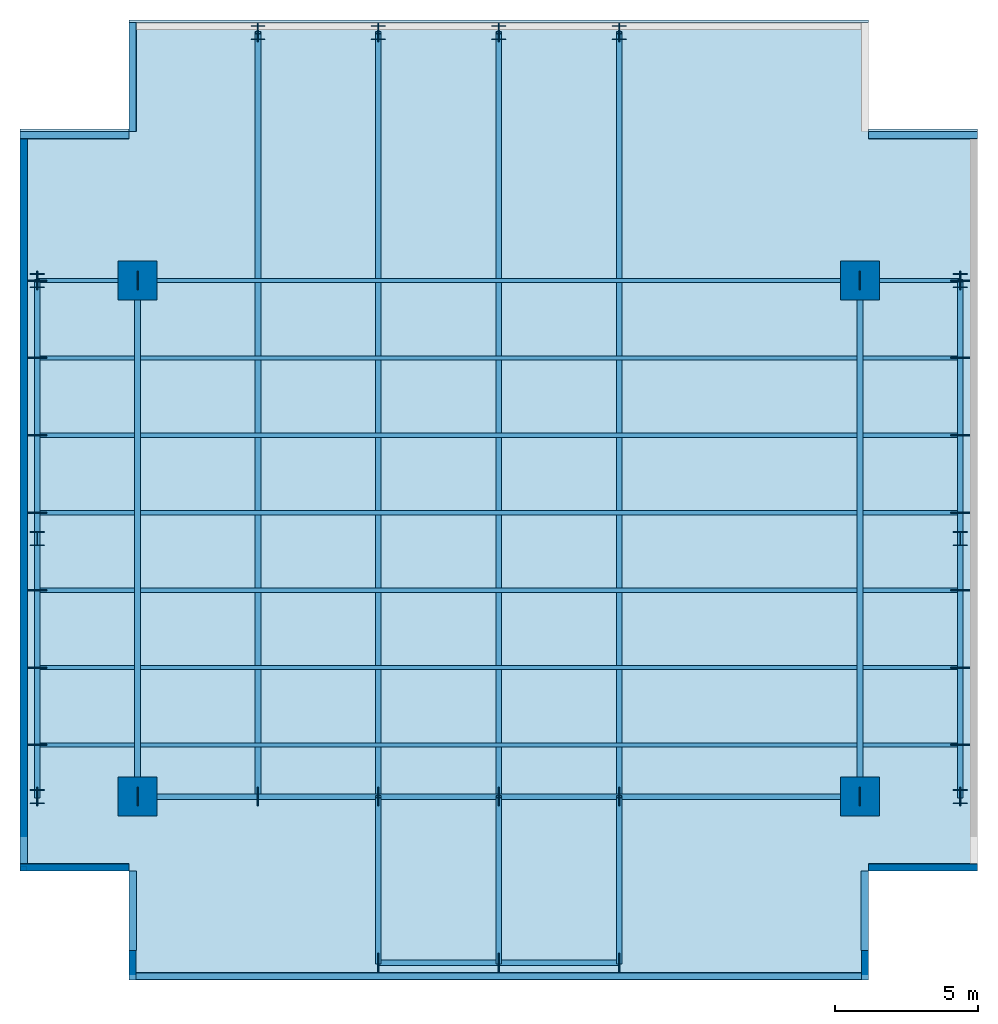
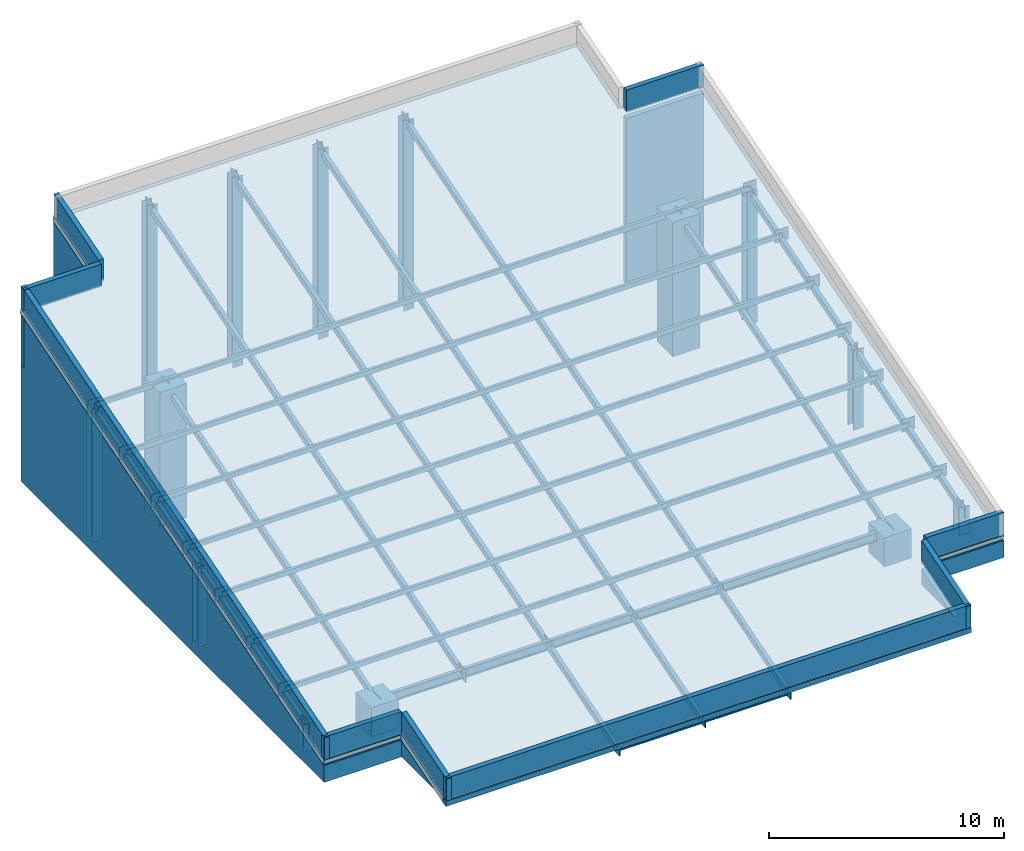
# One storey, part 1 of 3: 33 plates, 18 members, 18 walls, 14 columns, 2 beams, 1 slab.
"""IFC4 building model written with IfcOpenShell, lengths in metres."""

from ifc_helpers import new_model, si_unit, direction, frame, origin, origin_2d, place, context, subcontext, project, spatial, polyline, rectangle, hollow_rectangle, i_section, outline, extrude, material, layer, layer_set, material_profile, profile_set, type_object, element, save


model = new_model("IFC4")

# Units and contexts
model_context = context("Model", 3, precision=1e-05, world=origin(), true_north=direction((0.0, 1.0)))
body_context = subcontext(model_context, "Body", "Model", "MODEL_VIEW")
ifc_project = project(units=[si_unit("LENGTHUNIT", "METRE"), si_unit("AREAUNIT", "SQUARE_METRE"), si_unit("VOLUMEUNIT", "CUBIC_METRE"), si_unit("PLANEANGLEUNIT", "RADIAN"), si_unit("MASSUNIT", "GRAM", prefix="KILO")], contexts=[model_context])

# Site, building, storey
site_placement = place(None, origin())
site = spatial("IfcSite", under=ifc_project, at=site_placement, CompositionType="ELEMENT")
building_placement = place(site_placement, origin())
building = spatial("IfcBuilding", under=site, at=building_placement, Name="Maruvema Waterfront Hotel and Observation Tower", CompositionType="ELEMENT")
storey_placement = place(building_placement, frame((0.0, 0.0, 376.25)))
storey = spatial("IfcBuildingStorey", under=building, at=storey_placement, Name="Roof", CompositionType="ELEMENT", Elevation=376.25)

# Columns
ifc_material_1 = material(Name="Concrete C70/85", Category="concrete")
ifc_material_profile_1 = material_profile(ifc_material_1, rectangle(XDim=1.35009765625, YDim=1.35009765625, at=origin_2d()), Name="MC1350x1350")
ifc_profile_set_1 = profile_set([ifc_material_profile_1], Name="Concrete C70/85")
column_type_1 = type_object("IfcColumnType", Name="Continuous Mega-Column MC1350x1350", PredefinedType="COLUMN", material=ifc_profile_set_1)
for number, where, z_axis, x_axis, name in (
    (1, (25.199951171875, 27.0, 0.0), (0.0, 0.0, 1.0), (1.0, 0.0, 0.0), "Roof Continuous Mega-Column MC-01"),
    (2, (50.39990234375, 27.0, 0.0), (0.0, 0.0, 1.0), (1.0, 0.0, 0.0), "Roof Continuous Mega-Column MC-02"),
):
    element("IfcColumn", number, at=place(storey_placement, frame(where, z_axis=z_axis, x_axis=x_axis)), inside=storey, type_object=column_type_1, Name=name, PredefinedType="COLUMN", context=body_context, shape_type="SweptSolid", body=[
        extrude(rectangle(XDim=1.35009765625, YDim=1.35009765625, at=origin_2d()), origin(), (0.0, 0.0, 1.0), 1.511474609375),
    ])
for number, where, z_axis, x_axis, name in (
    (3, (25.199951171875, 45.0, 0.0), (0.0, 0.0, 1.0), (1.0, 0.0, 0.0), "Roof Continuous Mega-Column MC-03"),
    (4, (50.39990234375, 45.0, 0.0), (0.0, 0.0, 1.0), (1.0, 0.0, 0.0), "Roof Continuous Mega-Column MC-04"),
):
    element("IfcColumn", number, at=place(storey_placement, frame(where, z_axis=z_axis, x_axis=x_axis)), inside=storey, type_object=column_type_1, Name=name, PredefinedType="COLUMN", context=body_context, shape_type="SweptSolid", body=[
        extrude(rectangle(XDim=1.35009765625, YDim=1.35009765625, at=origin_2d()), origin(), (0.0, 0.0, 1.0), 6.9814453125),
    ])
ifc_material_2 = material(Name="Steel ABNT NBR 7007 AR 415 (ASTM A572 Grade 50)", Category="steel")
ifc_material_profile_2 = material_profile(ifc_material_2, i_section(OverallWidth=0.5, OverallDepth=0.5, WebThickness=0.02197265625, FlangeThickness=0.031982421875, at=origin_2d()), Name="CVS500x223")
ifc_profile_set_2 = profile_set([ifc_material_profile_2], Name="Steel ABNT NBR 7007 AR 415 (ASTM A572 Grade 50)")
column_type_2 = type_object("IfcColumnType", Name="Structural Steel Column CVS500x223", PredefinedType="COLUMN", material=ifc_profile_set_2)
for number, where, z_axis, x_axis, name in (
    (5, (21.699951171875, 27.0, 0.0), (0.0, 0.0, 1.0), (1.0, 0.0, 0.0), "Roof Column C-CRW27"),
    (6, (53.89990234375, 27.0, 0.0), (0.0, 0.0, 1.0), (1.0, 0.0, 0.0), "Roof Column C-CRE27"),
):
    element("IfcColumn", number, at=place(storey_placement, frame(where, z_axis=z_axis, x_axis=x_axis)), inside=storey, type_object=column_type_2, Name=name, PredefinedType="COLUMN", context=body_context, shape_type="SweptSolid", body=[
        extrude(i_section(OverallWidth=0.5, OverallDepth=0.5, WebThickness=0.02197265625, FlangeThickness=0.031982421875, at=origin_2d()), origin(), (0.0, 0.0, 1.0), 1.411376953125),
    ])
for number, where, z_axis, x_axis, name in (
    (7, (21.699951171875, 36.0, 0.0), (0.0, 0.0, 1.0), (1.0, 0.0, 0.0), "Roof Column C-CRW36"),
    (8, (53.89990234375, 36.0, 0.0), (0.0, 0.0, 1.0), (1.0, 0.0, 0.0), "Roof Column C-CRE36"),
):
    element("IfcColumn", number, at=place(storey_placement, frame(where, z_axis=z_axis, x_axis=x_axis)), inside=storey, type_object=column_type_2, Name=name, PredefinedType="COLUMN", context=body_context, shape_type="SweptSolid", body=[
        extrude(i_section(OverallWidth=0.5, OverallDepth=0.5, WebThickness=0.02197265625, FlangeThickness=0.031982421875, at=origin_2d()), origin(), (0.0, 0.0, 1.0), 4.146484375),
    ])
for number, where, z_axis, x_axis, name in (
    (9, (21.699951171875, 45.0, 0.0), (0.0, 0.0, 1.0), (1.0, 0.0, 0.0), "Roof Column C-CRW45"),
    (10, (53.89990234375, 45.0, 0.0), (0.0, 0.0, 1.0), (1.0, 0.0, 0.0), "Roof Column C-CRE45"),
):
    element("IfcColumn", number, at=place(storey_placement, frame(where, z_axis=z_axis, x_axis=x_axis)), inside=storey, type_object=column_type_2, Name=name, PredefinedType="COLUMN", context=body_context, shape_type="SweptSolid", body=[
        extrude(i_section(OverallWidth=0.5, OverallDepth=0.5, WebThickness=0.02197265625, FlangeThickness=0.031982421875, at=origin_2d()), origin(), (0.0, 0.0, 1.0), 6.88134765625),
    ])
for number, where, z_axis, x_axis, name in (
    (11, (29.39990234375, 53.64990234375, -0.35009765625), (0.0, 0.0, 1.0), (1.0, 0.0, 0.0), "Roof Column C-CRN4B"),
    (12, (33.60009765625, 53.64990234375, -0.35009765625), (0.0, 0.0, 1.0), (1.0, 0.0, 0.0), "Roof Column C-CRN5"),
    (13, (37.800048828125, 53.64990234375, -0.35009765625), (0.0, 0.0, 1.0), (1.0, 0.0, 0.0), "Roof Column C-CRN5B"),
    (14, (42.0, 53.64990234375, -0.35009765625), (0.0, 0.0, 1.0), (1.0, 0.0, 0.0), "Roof Column C-CRN6"),
):
    element("IfcColumn", number, at=place(storey_placement, frame(where, z_axis=z_axis, x_axis=x_axis)), inside=storey, type_object=column_type_2, Name=name, PredefinedType="COLUMN", context=body_context, shape_type="SweptSolid", body=[
        extrude(i_section(OverallWidth=0.5, OverallDepth=0.5, WebThickness=0.02197265625, FlangeThickness=0.031982421875, at=origin_2d()), origin(), (0.0, 0.0, 1.0), 9.860107421875),
    ])

# Beams
ifc_material_3 = material(Name="Steel ASTM A572 Grade 50", Category="steel")
ifc_material_profile_3 = material_profile(ifc_material_3, i_section(OverallWidth=0.19189453125, OverallDepth=0.462890625, WebThickness=0.010498046875, FlangeThickness=0.017578125, FilletRadius=0.014892578125, at=origin_2d()), Name="W460x89.0")
ifc_profile_set_3 = profile_set([ifc_material_profile_3], Name="Steel ASTM A572 Grade 50")
beam_type = type_object("IfcBeamType", Name="Primary Floor Girder W460x89.0", PredefinedType="BEAM", material=ifc_profile_set_3)
beam_1_placement = place(storey_placement, frame((33.60009765625, 21.199951171875, -0.55126953125), z_axis=(1.0, 0.0, 0.0), x_axis=(0.0, 1.0, 0.0)))
element("IfcBeam", 15, at=beam_1_placement, inside=storey, type_object=beam_type, Name="Roof South Eaves Header Girder", PredefinedType="BEAM", context=body_context, shape_type="SweptSolid", body=[
    extrude(i_section(OverallWidth=0.19189453125, OverallDepth=0.462890625, WebThickness=0.010498046875, FlangeThickness=0.017578125, FilletRadius=0.014892578125, at=origin_2d()), origin(), (0.0, 0.0, 1.0), 8.39990234375),
])
beam_2_placement = place(storey_placement, frame((25.199951171875, 27.0, 1.21142578125), z_axis=(1.0, 0.0, 0.0), x_axis=(0.0, 1.0, 0.0)))
element("IfcBeam", 16, at=beam_2_placement, inside=storey, type_object=beam_type, Name="Roof Mid-South Header Girder", PredefinedType="BEAM", context=body_context, shape_type="SweptSolid", body=[
    extrude(i_section(OverallWidth=0.19189453125, OverallDepth=0.462890625, WebThickness=0.010498046875, FlangeThickness=0.017578125, FilletRadius=0.014892578125, at=origin_2d()), origin(), (0.0, 0.0, 1.0), 25.199951171875),
])

# Members
ifc_material_4 = material(Name="Steel ABNT NBR 7007 AR 350 (ASTM A572 Grade 50)", Category="steel")
ifc_material_profile_4 = material_profile(ifc_material_4, hollow_rectangle(XDim=0.14990234375, YDim=0.25, WallThickness=0.012451171875, at=origin_2d()), Name="RHS250x150x12.5")
ifc_profile_set_4 = profile_set([ifc_material_profile_4], Name="Steel ABNT NBR 7007 AR 350 (ASTM A572 Grade 50)")
member_type_1 = type_object("IfcMemberType", Name="Sloped Crown Roof Purlin RHS250x150x12.5", PredefinedType="PURLIN", material=ifc_profile_set_4)
for number, where, z_axis, x_axis, name in (
    (17, (21.699951171875, 28.800048828125, 2.013427734375), (1.0, 0.0, 0.0), (0.0, 1.0, 0.0), "Roof Sloped Crown Purlin 01"),
    (18, (21.699951171875, 31.5, 2.833984375), (1.0, 0.0, 0.0), (0.0, 1.0, 0.0), "Roof Sloped Crown Purlin 02"),
    (19, (21.699951171875, 34.199951171875, 3.654296875), (1.0, 0.0, 0.0), (0.0, 1.0, 0.0), "Roof Sloped Crown Purlin 03"),
    (20, (21.699951171875, 36.89990234375, 4.474853515625), (1.0, 0.0, 0.0), (0.0, 1.0, 0.0), "Roof Sloped Crown Purlin 04"),
    (21, (21.699951171875, 39.60009765625, 5.29541015625), (1.0, 0.0, 0.0), (0.0, 1.0, 0.0), "Roof Sloped Crown Purlin 05"),
    (22, (21.699951171875, 42.300048828125, 6.115966796875), (1.0, 0.0, 0.0), (0.0, 1.0, 0.0), "Roof Sloped Crown Purlin 06"),
    (23, (21.699951171875, 45.0, 6.936279296875), (1.0, 0.0, 0.0), (0.0, 1.0, 0.0), "Roof Sloped Crown Purlin 07"),
):
    element("IfcMember", number, at=place(storey_placement, frame(where, z_axis=z_axis, x_axis=x_axis)), inside=storey, type_object=member_type_1, Name=name, PredefinedType="PURLIN", context=body_context, shape_type="SweptSolid", body=[
        extrude(hollow_rectangle(XDim=0.14990234375, YDim=0.25, WallThickness=0.012451171875, at=origin_2d()), origin(), (0.0, 0.0, 1.0), 32.199951171875),
    ])
ifc_material_5 = material(Name="Steel ABNT NBR 7007 AR 350 (ASTM A572 Grade 50)", Category="steel")
ifc_material_profile_5 = material_profile(ifc_material_5, hollow_rectangle(XDim=0.199951171875, YDim=0.300048828125, WallThickness=0.01611328125, at=origin_2d()), Name="RHS300x200x16.0")
ifc_profile_set_5 = profile_set([ifc_material_profile_5], Name="Steel ABNT NBR 7007 AR 350 (ASTM A572 Grade 50)")
member_type_2 = type_object("IfcMemberType", Name="Sloped Crown Roof Rafter RHS300x200x16.0", PredefinedType="RAFTER", material=ifc_profile_set_5)
for number, where, z_axis, x_axis, name in (
    (24, (21.699951171875, 27.0, 1.21142578125), (0.0, 0.956796541708, 0.290758280666), (-1.0, 0.0, 0.0), "Roof Sloped Crown Rafter RFT-00"),
    (25, (25.199951171875, 27.0, 1.21142578125), (0.0, 0.956796541708, 0.290758280666), (-1.0, 0.0, 0.0), "Roof Sloped Crown Rafter RFT-01"),
):
    element("IfcMember", number, at=place(storey_placement, frame(where, z_axis=z_axis, x_axis=x_axis)), inside=storey, type_object=member_type_2, Name=name, PredefinedType="RAFTER", context=body_context, shape_type="SweptSolid", body=[
        extrude(hollow_rectangle(XDim=0.199951171875, YDim=0.300048828125, WallThickness=0.01611328125, at=origin_2d()), origin(), (0.0, 0.0, 1.0), 18.812744140625),
    ])
member_1_placement = place(storey_placement, frame((29.39990234375, 27.0, 1.21142578125), z_axis=(0.0, 0.956795872756, 0.290760481972), x_axis=(-1.0, 0.0, 0.0)))
element("IfcMember", 26, at=member_1_placement, inside=storey, type_object=member_type_2, Name="Roof Sloped Crown Rafter RFT-02", PredefinedType="RAFTER", context=body_context, shape_type="SweptSolid", body=[
    extrude(hollow_rectangle(XDim=0.199951171875, YDim=0.300048828125, WallThickness=0.01611328125, at=origin_2d()), origin(), (0.0, 0.0, 1.0), 27.853271484375),
])
member_2_placement = place(storey_placement, frame((33.60009765625, 21.199951171875, -0.55126953125), z_axis=(0.0, 0.956790375501, 0.290778570994), x_axis=(-1.0, 0.0, 0.0)))
element("IfcMember", 27, at=member_2_placement, inside=storey, type_object=member_type_2, Name="Roof Sloped Crown Rafter RFT-03S", PredefinedType="RAFTER", context=body_context, shape_type="SweptSolid", body=[
    extrude(hollow_rectangle(XDim=0.199951171875, YDim=0.300048828125, WallThickness=0.01611328125, at=origin_2d()), origin(), (0.0, 0.0, 1.0), 6.06201171875),
])
member_3_placement = place(storey_placement, frame((33.60009765625, 27.0, 1.21142578125), z_axis=(0.0, 0.956795872756, 0.290760481972), x_axis=(-1.0, 0.0, 0.0)))
element("IfcMember", 28, at=member_3_placement, inside=storey, type_object=member_type_2, Name="Roof Sloped Crown Rafter RFT-03", PredefinedType="RAFTER", context=body_context, shape_type="SweptSolid", body=[
    extrude(hollow_rectangle(XDim=0.199951171875, YDim=0.300048828125, WallThickness=0.01611328125, at=origin_2d()), origin(), (0.0, 0.0, 1.0), 27.853271484375),
])
member_4_placement = place(storey_placement, frame((37.800048828125, 21.199951171875, -0.55126953125), z_axis=(0.0, 0.956790375501, 0.290778570994), x_axis=(-1.0, 0.0, 0.0)))
element("IfcMember", 29, at=member_4_placement, inside=storey, type_object=member_type_2, Name="Roof Sloped Crown Rafter RFT-04S", PredefinedType="RAFTER", context=body_context, shape_type="SweptSolid", body=[
    extrude(hollow_rectangle(XDim=0.199951171875, YDim=0.300048828125, WallThickness=0.01611328125, at=origin_2d()), origin(), (0.0, 0.0, 1.0), 6.06201171875),
])
member_5_placement = place(storey_placement, frame((37.800048828125, 27.0, 1.21142578125), z_axis=(0.0, 0.956795872756, 0.290760481972), x_axis=(-1.0, 0.0, 0.0)))
element("IfcMember", 30, at=member_5_placement, inside=storey, type_object=member_type_2, Name="Roof Sloped Crown Rafter RFT-04", PredefinedType="RAFTER", context=body_context, shape_type="SweptSolid", body=[
    extrude(hollow_rectangle(XDim=0.199951171875, YDim=0.300048828125, WallThickness=0.01611328125, at=origin_2d()), origin(), (0.0, 0.0, 1.0), 27.853271484375),
])
member_6_placement = place(storey_placement, frame((42.0, 21.199951171875, -0.55126953125), z_axis=(0.0, 0.956790375501, 0.290778570994), x_axis=(-1.0, 0.0, 0.0)))
element("IfcMember", 31, at=member_6_placement, inside=storey, type_object=member_type_2, Name="Roof Sloped Crown Rafter RFT-05S", PredefinedType="RAFTER", context=body_context, shape_type="SweptSolid", body=[
    extrude(hollow_rectangle(XDim=0.199951171875, YDim=0.300048828125, WallThickness=0.01611328125, at=origin_2d()), origin(), (0.0, 0.0, 1.0), 6.06201171875),
])
member_7_placement = place(storey_placement, frame((42.0, 27.0, 1.21142578125), z_axis=(0.0, 0.956795872756, 0.290760481972), x_axis=(-1.0, 0.0, 0.0)))
element("IfcMember", 32, at=member_7_placement, inside=storey, type_object=member_type_2, Name="Roof Sloped Crown Rafter RFT-05", PredefinedType="RAFTER", context=body_context, shape_type="SweptSolid", body=[
    extrude(hollow_rectangle(XDim=0.199951171875, YDim=0.300048828125, WallThickness=0.01611328125, at=origin_2d()), origin(), (0.0, 0.0, 1.0), 27.853271484375),
])
for number, where, z_axis, x_axis, name in (
    (33, (50.39990234375, 27.0, 1.21142578125), (0.0, 0.956796541708, 0.290758280666), (-1.0, 0.0, 0.0), "Roof Sloped Crown Rafter RFT-06"),
    (34, (53.89990234375, 27.0, 1.21142578125), (0.0, 0.956796541708, 0.290758280666), (-1.0, 0.0, 0.0), "Roof Sloped Crown Rafter RFT-07"),
):
    element("IfcMember", number, at=place(storey_placement, frame(where, z_axis=z_axis, x_axis=x_axis)), inside=storey, type_object=member_type_2, Name=name, PredefinedType="RAFTER", context=body_context, shape_type="SweptSolid", body=[
        extrude(hollow_rectangle(XDim=0.199951171875, YDim=0.300048828125, WallThickness=0.01611328125, at=origin_2d()), origin(), (0.0, 0.0, 1.0), 18.812744140625),
    ])

# Plates
ifc_material_6 = material(Name="Steel ABNT NBR 7007 AR 415 (ASTM A572 Grade 50)", Category="steel")
ifc_layer_1 = layer(ifc_material_6, 0.034912109375, Name="Hollow Section Sealed End Cap Plate 35 mm")
ifc_layer_set_1 = layer_set([ifc_layer_1], Name="Steel ABNT NBR 7007 AR 415 (ASTM A572 Grade 50)")
plate_type = type_object("IfcPlateType", Name="Hollow Section Sealed End Cap Plate 35 mm", PredefinedType="USERDEFINED", material=ifc_layer_set_1)
for number, where, z_axis, x_axis, name in (
    (35, (21.699951171875, 27.0, 0.886474609375), (0.0, 0.0, 1.0), (0.0, 1.0, 0.0), "Roof Sloped Crown Rafter RFT-00 Node Plate 1"),
    (36, (21.699951171875, 45.0, 6.3564453125), (0.0, 0.0, 1.0), (0.0, 1.0, 0.0), "Roof Sloped Crown Rafter RFT-00 Node Plate 2"),
    (37, (25.199951171875, 27.0, 0.886474609375), (0.0, 0.0, 1.0), (0.0, 1.0, 0.0), "Roof Sloped Crown Rafter RFT-01 Node Plate 1"),
    (38, (25.199951171875, 45.0, 6.3564453125), (0.0, 0.0, 1.0), (0.0, 1.0, 0.0), "Roof Sloped Crown Rafter RFT-01 Node Plate 2"),
    (39, (29.39990234375, 27.0, 0.886474609375), (0.0, 0.0, 1.0), (0.0, 1.0, 0.0), "Roof Sloped Crown Rafter RFT-02 Node Plate 1"),
    (40, (29.39990234375, 53.64990234375, 8.985107421875), (0.0, 0.0, 1.0), (0.0, 1.0, 0.0), "Roof Sloped Crown Rafter RFT-02 Node Plate 2"),
    (41, (33.60009765625, 21.199951171875, -0.876220703125), (0.0, 0.0, 1.0), (0.0, 1.0, 0.0), "Roof Sloped Crown Rafter RFT-03S Node Plate 1"),
    (42, (33.60009765625, 27.0, 0.886474609375), (0.0, 0.0, 1.0), (0.0, 1.0, 0.0), "Roof Sloped Crown Rafter RFT-03S Node Plate 2"),
    (43, (33.60009765625, 53.64990234375, 8.985107421875), (0.0, 0.0, 1.0), (0.0, 1.0, 0.0), "Roof Sloped Crown Rafter RFT-03 Node Plate 2"),
    (44, (37.800048828125, 21.199951171875, -0.876220703125), (0.0, 0.0, 1.0), (0.0, 1.0, 0.0), "Roof Sloped Crown Rafter RFT-04S Node Plate 1"),
    (45, (37.800048828125, 27.0, 0.886474609375), (0.0, 0.0, 1.0), (0.0, 1.0, 0.0), "Roof Sloped Crown Rafter RFT-04S Node Plate 2"),
    (46, (37.800048828125, 53.64990234375, 8.985107421875), (0.0, 0.0, 1.0), (0.0, 1.0, 0.0), "Roof Sloped Crown Rafter RFT-04 Node Plate 2"),
    (47, (42.0, 21.199951171875, -0.876220703125), (0.0, 0.0, 1.0), (0.0, 1.0, 0.0), "Roof Sloped Crown Rafter RFT-05S Node Plate 1"),
    (48, (42.0, 27.0, 0.886474609375), (0.0, 0.0, 1.0), (0.0, 1.0, 0.0), "Roof Sloped Crown Rafter RFT-05S Node Plate 2"),
    (49, (42.0, 53.64990234375, 8.985107421875), (0.0, 0.0, 1.0), (0.0, 1.0, 0.0), "Roof Sloped Crown Rafter RFT-05 Node Plate 2"),
    (50, (50.39990234375, 27.0, 0.886474609375), (0.0, 0.0, 1.0), (0.0, 1.0, 0.0), "Roof Sloped Crown Rafter RFT-06 Node Plate 1"),
    (51, (50.39990234375, 45.0, 6.3564453125), (0.0, 0.0, 1.0), (0.0, 1.0, 0.0), "Roof Sloped Crown Rafter RFT-06 Node Plate 2"),
    (52, (53.89990234375, 27.0, 0.886474609375), (0.0, 0.0, 1.0), (0.0, 1.0, 0.0), "Roof Sloped Crown Rafter RFT-07 Node Plate 1"),
    (53, (53.89990234375, 45.0, 6.3564453125), (0.0, 0.0, 1.0), (0.0, 1.0, 0.0), "Roof Sloped Crown Rafter RFT-07 Node Plate 2"),
    (54, (21.699951171875, 28.800048828125, 1.6884765625), (0.0, 0.0, 1.0), (1.0, 0.0, 0.0), "Roof Sloped Crown Purlin 01 Node Plate 1"),
    (55, (53.89990234375, 28.800048828125, 1.6884765625), (0.0, 0.0, 1.0), (1.0, 0.0, 0.0), "Roof Sloped Crown Purlin 01 Node Plate 2"),
    (56, (21.699951171875, 31.5, 2.509033203125), (0.0, 0.0, 1.0), (1.0, 0.0, 0.0), "Roof Sloped Crown Purlin 02 Node Plate 1"),
    (57, (53.89990234375, 31.5, 2.509033203125), (0.0, 0.0, 1.0), (1.0, 0.0, 0.0), "Roof Sloped Crown Purlin 02 Node Plate 2"),
    (58, (21.699951171875, 34.199951171875, 3.329345703125), (0.0, 0.0, 1.0), (1.0, 0.0, 0.0), "Roof Sloped Crown Purlin 03 Node Plate 1"),
    (59, (53.89990234375, 34.199951171875, 3.329345703125), (0.0, 0.0, 1.0), (1.0, 0.0, 0.0), "Roof Sloped Crown Purlin 03 Node Plate 2"),
    (60, (21.699951171875, 36.89990234375, 4.14990234375), (0.0, 0.0, 1.0), (1.0, 0.0, 0.0), "Roof Sloped Crown Purlin 04 Node Plate 1"),
    (61, (53.89990234375, 36.89990234375, 4.14990234375), (0.0, 0.0, 1.0), (1.0, 0.0, 0.0), "Roof Sloped Crown Purlin 04 Node Plate 2"),
    (62, (21.699951171875, 39.60009765625, 4.970458984375), (0.0, 0.0, 1.0), (1.0, 0.0, 0.0), "Roof Sloped Crown Purlin 05 Node Plate 1"),
    (63, (53.89990234375, 39.60009765625, 4.970458984375), (0.0, 0.0, 1.0), (1.0, 0.0, 0.0), "Roof Sloped Crown Purlin 05 Node Plate 2"),
    (64, (21.699951171875, 42.300048828125, 5.791015625), (0.0, 0.0, 1.0), (1.0, 0.0, 0.0), "Roof Sloped Crown Purlin 06 Node Plate 1"),
    (65, (53.89990234375, 42.300048828125, 5.791015625), (0.0, 0.0, 1.0), (1.0, 0.0, 0.0), "Roof Sloped Crown Purlin 06 Node Plate 2"),
    (66, (21.699951171875, 45.0, 6.611328125), (0.0, 0.0, 1.0), (1.0, 0.0, 0.0), "Roof Sloped Crown Purlin 07 Node Plate 1"),
    (67, (53.89990234375, 45.0, 6.611328125), (0.0, 0.0, 1.0), (1.0, 0.0, 0.0), "Roof Sloped Crown Purlin 07 Node Plate 2"),
):
    element("IfcPlate", number, at=place(storey_placement, frame(where, z_axis=z_axis, x_axis=x_axis)), inside=storey, type_object=plate_type, Name=name, ObjectType="END_CAP_PLATE", PredefinedType="USERDEFINED", context=body_context, shape_type="SweptSolid", body=[
        extrude(rectangle(XDim=0.64990234375, YDim=0.034912109375, at=origin_2d()), origin(), (0.0, 0.0, 1.0), 0.64990234375),
    ])

# Slab
ifc_material_7 = material(Name="Concrete C50/60", Category="concrete")
ifc_layer_2 = layer(ifc_material_7, 0.300048828125, Name="Sloped Crown Roof Structural Slab 300 mm")
ifc_layer_set_2 = layer_set([ifc_layer_2], Name="Concrete C50/60")
slab_type = type_object("IfcSlabType", Name="Sloped Crown Roof Structural Slab 300 mm", PredefinedType="ROOF", material=ifc_layer_set_2)
slab_placement = place(storey_placement, frame((24.89990234375, 20.60009765625, 0.0), z_axis=(0.0, -0.290760526175, 0.956795859324), x_axis=(1.0, 0.0, 0.0)))
element("IfcSlab", 68, at=slab_placement, inside=storey, type_object=slab_type, Name="Sloped Crown Roof Slab RF-300", PredefinedType="ROOF", context=body_context, shape_type="SweptSolid", body=[
    extrude(outline(polyline([(0.0, 0.0), (25.800048828125, 0.0), (25.800048828125, 3.9714033308880428), (29.60009765625, 3.9714033308880428), (29.60009765625, 30.936442286772994), (25.800048828125, 30.936442286772994), (25.800048828125, 34.90807921040013), (0.0, 34.90807921040013), (0.0, 30.936442286772994), (-3.7998046875, 30.936442286772994), (-3.7998046875, 3.9714033308880428), (0.0, 3.9714033308880428), (0.0, 0.0)])), origin(), (0.0, 0.0, -1.0), 0.300048828125),
])

# Walls
ifc_material_8 = material(Name="Precast concrete C45/55 with honed Pernambuco granite facing", Category="masonry")
ifc_layer_3 = layer(ifc_material_8, 0.260009765625, Name="Exterior Granite Clad Spandrel and Pier Wall 260 mm")
ifc_layer_set_3 = layer_set([ifc_layer_3], Name="Precast concrete C45/55 with honed Pernambuco granite facing")
wall_type_1 = type_object("IfcWallType", Name="Exterior Granite Clad Spandrel and Pier Wall 260 mm", PredefinedType="SOLIDWALL", material=ifc_layer_set_3)
wall_1_placement = place(storey_placement, frame((24.89990234375, 20.72998046875, 0.0), z_axis=(0.0, 0.0, 1.0), x_axis=(1.0, 0.0, 0.0)))
element("IfcWall", 69, at=wall_1_placement, inside=storey, type_object=wall_type_1, Name="Sloped Crown Granite Enclosure Wall 01", PredefinedType="SOLIDWALL", context=body_context, shape_type="SweptSolid", body=[
    extrude(outline(polyline([(0.0, 0.0), (25.800048828125, 0.0), (25.800048828125, -0.27392578125), (0.0, -0.27392578125), (0.0, 0.0)])), frame((0.0, 0.1298828125, 0.0), z_axis=(0.0, -1.0, 0.0), x_axis=(1.0, 0.0, 0.0)), (0.0, 0.0, 1.0), 0.260009765625),
])
wall_2_placement = place(storey_placement, frame((50.570068359375, 20.60009765625, 0.0), z_axis=(0.0, 0.0, 1.0), x_axis=(0.0, 1.0, 0.0)))
element("IfcWall", 70, at=wall_2_placement, inside=storey, type_object=wall_type_1, Name="Sloped Crown Granite Enclosure Wall 02", PredefinedType="SOLIDWALL", context=body_context, shape_type="SweptSolid", body=[
    extrude(outline(polyline([(0.0, 0.0), (3.7998046875, 0.0), (3.800048828125, 0.84130859375), (0.0, -0.3134765625), (0.0, 0.0)])), frame((0.0, 0.1298828125, 0.0), z_axis=(0.0, -1.0, 0.0), x_axis=(1.0, 0.0, 0.0)), (0.0, 0.0, 1.0), 0.260009765625),
])
wall_3_placement = place(storey_placement, frame((50.699951171875, 24.530029296875, 0.0), z_axis=(0.0, 0.0, 1.0), x_axis=(1.0, 0.0, 0.0)))
element("IfcWall", 71, at=wall_3_placement, inside=storey, type_object=wall_type_1, Name="Sloped Crown Granite Enclosure Wall 03", PredefinedType="SOLIDWALL", context=body_context, shape_type="SweptSolid", body=[
    extrude(outline(polyline([(0.0, 0.0), (3.800048828125, 0.0), (3.800048828125, 0.880859375), (0.0, 0.880859375), (0.0, 0.0)])), frame((0.0, 0.1298828125, 0.0), z_axis=(0.0, -1.0, 0.0), x_axis=(1.0, 0.0, 0.0)), (0.0, 0.0, 1.0), 0.260009765625),
])
wall_4_placement = place(storey_placement, frame((54.5, 50.070068359375, 0.0), z_axis=(0.0, 0.0, 1.0), x_axis=(-1.0, 0.0, 0.0)))
element("IfcWall", 72, at=wall_4_placement, inside=storey, type_object=wall_type_1, Name="Sloped Crown Granite Enclosure Wall 05", PredefinedType="SOLIDWALL", context=body_context, shape_type="SweptSolid", body=[
    extrude(outline(polyline([(0.0, 0.0), (3.800048828125, 0.0), (3.800048828125, 8.64208984375), (0.0, 8.64208984375), (0.0, 0.0)])), frame((0.0, 0.1298828125, 0.0), z_axis=(0.0, -1.0, 0.0), x_axis=(1.0, 0.0, 0.0)), (0.0, 0.0, 1.0), 0.260009765625),
])
wall_5_placement = place(storey_placement, frame((25.030029296875, 54.0, 0.0), z_axis=(0.0, 0.0, 1.0), x_axis=(0.0, -1.0, 0.0)))
element("IfcWall", 73, at=wall_5_placement, inside=storey, type_object=wall_type_1, Name="Sloped Crown Granite Enclosure Wall 08", PredefinedType="SOLIDWALL", context=body_context, shape_type="SweptSolid", body=[
    extrude(outline(polyline([(0.0, 0.0), (3.800048828125, 0.0), (3.800048828125, 8.681640625), (0.0, 9.83642578125), (0.0, 0.0)])), frame((0.0, 0.1298828125, 0.0), z_axis=(0.0, -1.0, 0.0), x_axis=(1.0, 0.0, 0.0)), (0.0, 0.0, 1.0), 0.260009765625),
])
wall_6_placement = place(storey_placement, frame((24.89990234375, 50.070068359375, 0.0), z_axis=(0.0, 0.0, 1.0), x_axis=(-1.0, 0.0, 0.0)))
element("IfcWall", 74, at=wall_6_placement, inside=storey, type_object=wall_type_1, Name="Sloped Crown Granite Enclosure Wall 09", PredefinedType="SOLIDWALL", context=body_context, shape_type="SweptSolid", body=[
    extrude(outline(polyline([(0.0, 0.0), (3.7998046875, 0.0), (3.800048828125, 8.64208984375), (0.0, 8.64208984375), (0.0, 0.0)])), frame((0.0, 0.1298828125, 0.0), z_axis=(0.0, -1.0, 0.0), x_axis=(1.0, 0.0, 0.0)), (0.0, 0.0, 1.0), 0.260009765625),
])
wall_7_placement = place(storey_placement, frame((21.22998046875, 50.199951171875, 0.0), z_axis=(0.0, 0.0, 1.0), x_axis=(0.0, -1.0, 0.0)))
element("IfcWall", 75, at=wall_7_placement, inside=storey, type_object=wall_type_1, Name="Sloped Crown Granite Enclosure Wall 10", PredefinedType="SOLIDWALL", context=body_context, shape_type="SweptSolid", body=[
    extrude(outline(polyline([(0.0, 0.0), (25.800048828125, 0.0), (25.800048828125, 0.84130859375), (0.0, 8.681640625), (0.0, 0.0)])), frame((0.0, 0.1298828125, 0.0), z_axis=(0.0, -1.0, 0.0), x_axis=(1.0, 0.0, 0.0)), (0.0, 0.0, 1.0), 0.260009765625),
])
wall_8_placement = place(storey_placement, frame((21.10009765625, 24.530029296875, 0.0), z_axis=(0.0, 0.0, 1.0), x_axis=(1.0, 0.0, 0.0)))
element("IfcWall", 76, at=wall_8_placement, inside=storey, type_object=wall_type_1, Name="Sloped Crown Granite Enclosure Wall 11", PredefinedType="SOLIDWALL", context=body_context, shape_type="SweptSolid", body=[
    extrude(outline(polyline([(0.0, 0.0), (3.7998046875, 0.0), (3.800048828125, 0.880859375), (0.0, 0.880859375), (0.0, 0.0)])), frame((0.0, 0.1298828125, 0.0), z_axis=(0.0, -1.0, 0.0), x_axis=(1.0, 0.0, 0.0)), (0.0, 0.0, 1.0), 0.260009765625),
])
wall_9_placement = place(storey_placement, frame((25.030029296875, 24.39990234375, 0.0), z_axis=(0.0, 0.0, 1.0), x_axis=(0.0, -1.0, 0.0)))
element("IfcWall", 77, at=wall_9_placement, inside=storey, type_object=wall_type_1, Name="Sloped Crown Granite Enclosure Wall 12", PredefinedType="SOLIDWALL", context=body_context, shape_type="SweptSolid", body=[
    extrude(outline(polyline([(0.0, 0.0), (3.7998046875, 0.0), (3.800048828125, -0.3134765625), (0.0, 0.84130859375), (0.0, 0.0)])), frame((0.0, 0.1298828125, 0.0), z_axis=(0.0, -1.0, 0.0), x_axis=(1.0, 0.0, 0.0)), (0.0, 0.0, 1.0), 0.260009765625),
])
ifc_material_9 = material(Name="Precast concrete C45/55 with honed Pernambuco granite coping", Category="masonry")
ifc_layer_4 = layer(ifc_material_9, 0.239990234375, Name="Granite Capped Roof and Terrace Parapet Wall 240 mm")
ifc_layer_set_4 = layer_set([ifc_layer_4], Name="Precast concrete C45/55 with honed Pernambuco granite coping")
wall_type_2 = type_object("IfcWallType", Name="Granite Capped Roof and Terrace Parapet Wall 240 mm", PredefinedType="PARAPET", material=ifc_layer_set_4)
wall_10_placement = place(storey_placement, frame((24.89990234375, 20.72998046875, 0.03955078125), z_axis=(0.0, 0.0, 1.0), x_axis=(1.0, 0.0, 0.0)))
element("IfcWall", 78, at=wall_10_placement, inside=storey, type_object=wall_type_2, Name="Sloped Crown Roof Parapet Wall 01", PredefinedType="PARAPET", context=body_context, shape_type="SweptSolid", body=[
    extrude(outline(polyline([(0.0, 0.0), (25.800048828125, 0.0), (25.800048828125, 1.14990234375), (0.0, 1.14990234375), (0.0, 0.0)])), frame((0.0, 0.1201171875, 0.0), z_axis=(0.0, -1.0, 0.0), x_axis=(1.0, 0.0, 0.0)), (0.0, 0.0, 1.0), 0.239990234375),
])
wall_11_placement = place(storey_placement, frame((50.570068359375, 20.60009765625, 0.0), z_axis=(0.0, 0.0, 1.0), x_axis=(0.0, 1.0, 0.0)))
element("IfcWall", 79, at=wall_11_placement, inside=storey, type_object=wall_type_2, Name="Sloped Crown Roof Parapet Wall 02", PredefinedType="PARAPET", context=body_context, shape_type="SweptSolid", body=[
    extrude(outline(polyline([(0.0, 0.0), (3.800048828125, 1.15478515625), (3.800048828125, 2.3046875), (0.0, 1.14990234375), (0.0, 0.0)])), frame((0.0, 0.1201171875, 0.0), z_axis=(0.0, -1.0, 0.0), x_axis=(1.0, 0.0, 0.0)), (0.0, 0.0, 1.0), 0.239990234375),
])
for number, where, z_axis, x_axis, name in (
    (80, (50.699951171875, 24.530029296875, 1.1943359375), (0.0, 0.0, 1.0), (1.0, 0.0, 0.0), "Sloped Crown Roof Parapet Wall 03"),
    (81, (54.5, 50.070068359375, 8.955810546875), (0.0, 0.0, 1.0), (-1.0, 0.0, 0.0), "Sloped Crown Roof Parapet Wall 05"),
):
    element("IfcWall", number, at=place(storey_placement, frame(where, z_axis=z_axis, x_axis=x_axis)), inside=storey, type_object=wall_type_2, Name=name, PredefinedType="PARAPET", context=body_context, shape_type="SweptSolid", body=[
        extrude(outline(polyline([(0.0, 0.0), (3.800048828125, 0.0), (3.800048828125, 1.14990234375), (0.0, 1.14990234375), (0.0, 0.0)])), frame((0.0, 0.1201171875, 0.0), z_axis=(0.0, -1.0, 0.0), x_axis=(1.0, 0.0, 0.0)), (0.0, 0.0, 1.0), 0.239990234375),
    ])
wall_12_placement = place(storey_placement, frame((25.030029296875, 54.0, 8.9951171875), z_axis=(0.0, 0.0, 1.0), x_axis=(0.0, -1.0, 0.0)))
element("IfcWall", 82, at=wall_12_placement, inside=storey, type_object=wall_type_2, Name="Sloped Crown Roof Parapet Wall 08", PredefinedType="PARAPET", context=body_context, shape_type="SweptSolid", body=[
    extrude(outline(polyline([(0.0, 1.15478515625), (3.800048828125, 0.0), (3.800048828125, 1.150146484375), (0.0, 2.304931640625), (0.0, 1.15478515625)])), frame((0.0, 0.1201171875, 0.0), z_axis=(0.0, -1.0, 0.0), x_axis=(1.0, 0.0, 0.0)), (0.0, 0.0, 1.0), 0.239990234375),
])
wall_13_placement = place(storey_placement, frame((24.89990234375, 50.070068359375, 8.955810546875), z_axis=(0.0, 0.0, 1.0), x_axis=(-1.0, 0.0, 0.0)))
element("IfcWall", 83, at=wall_13_placement, inside=storey, type_object=wall_type_2, Name="Sloped Crown Roof Parapet Wall 09", PredefinedType="PARAPET", context=body_context, shape_type="SweptSolid", body=[
    extrude(outline(polyline([(0.0, 0.0), (3.800048828125, 0.0), (3.800048828125, 1.14990234375), (0.0, 1.14990234375), (0.0, 0.0)])), frame((0.0, 0.1201171875, 0.0), z_axis=(0.0, -1.0, 0.0), x_axis=(1.0, 0.0, 0.0)), (0.0, 0.0, 1.0), 0.239990234375),
])
wall_14_placement = place(storey_placement, frame((21.22998046875, 50.199951171875, 1.15478515625), z_axis=(0.0, 0.0, 1.0), x_axis=(0.0, -1.0, 0.0)))
element("IfcWall", 84, at=wall_14_placement, inside=storey, type_object=wall_type_2, Name="Sloped Crown Roof Parapet Wall 10", PredefinedType="PARAPET", context=body_context, shape_type="SweptSolid", body=[
    extrude(outline(polyline([(0.0, 7.84033203125), (25.800048828125, 0.0), (25.800048828125, 1.14990234375), (0.0, 8.990478515625), (0.0, 7.84033203125)])), frame((0.0, 0.1201171875, 0.0), z_axis=(0.0, -1.0, 0.0), x_axis=(1.0, 0.0, 0.0)), (0.0, 0.0, 1.0), 0.239990234375),
])
wall_15_placement = place(storey_placement, frame((21.10009765625, 24.530029296875, 1.1943359375), z_axis=(0.0, 0.0, 1.0), x_axis=(1.0, 0.0, 0.0)))
element("IfcWall", 85, at=wall_15_placement, inside=storey, type_object=wall_type_2, Name="Sloped Crown Roof Parapet Wall 11", PredefinedType="PARAPET", context=body_context, shape_type="SweptSolid", body=[
    extrude(outline(polyline([(0.0, 0.0), (3.800048828125, 0.0), (3.800048828125, 1.14990234375), (0.0, 1.14990234375), (0.0, 0.0)])), frame((0.0, 0.1201171875, 0.0), z_axis=(0.0, -1.0, 0.0), x_axis=(1.0, 0.0, 0.0)), (0.0, 0.0, 1.0), 0.239990234375),
])
wall_16_placement = place(storey_placement, frame((25.030029296875, 24.39990234375, 0.0), z_axis=(0.0, 0.0, 1.0), x_axis=(0.0, -1.0, 0.0)))
element("IfcWall", 86, at=wall_16_placement, inside=storey, type_object=wall_type_2, Name="Sloped Crown Roof Parapet Wall 12", PredefinedType="PARAPET", context=body_context, shape_type="SweptSolid", body=[
    extrude(outline(polyline([(0.0, 1.15478515625), (3.800048828125, 0.0), (3.800048828125, 1.14990234375), (0.0, 2.3046875), (0.0, 1.15478515625)])), frame((0.0, 0.1201171875, 0.0), z_axis=(0.0, -1.0, 0.0), x_axis=(1.0, 0.0, 0.0)), (0.0, 0.0, 1.0), 0.239990234375),
])

save(model, "model.ifc")
